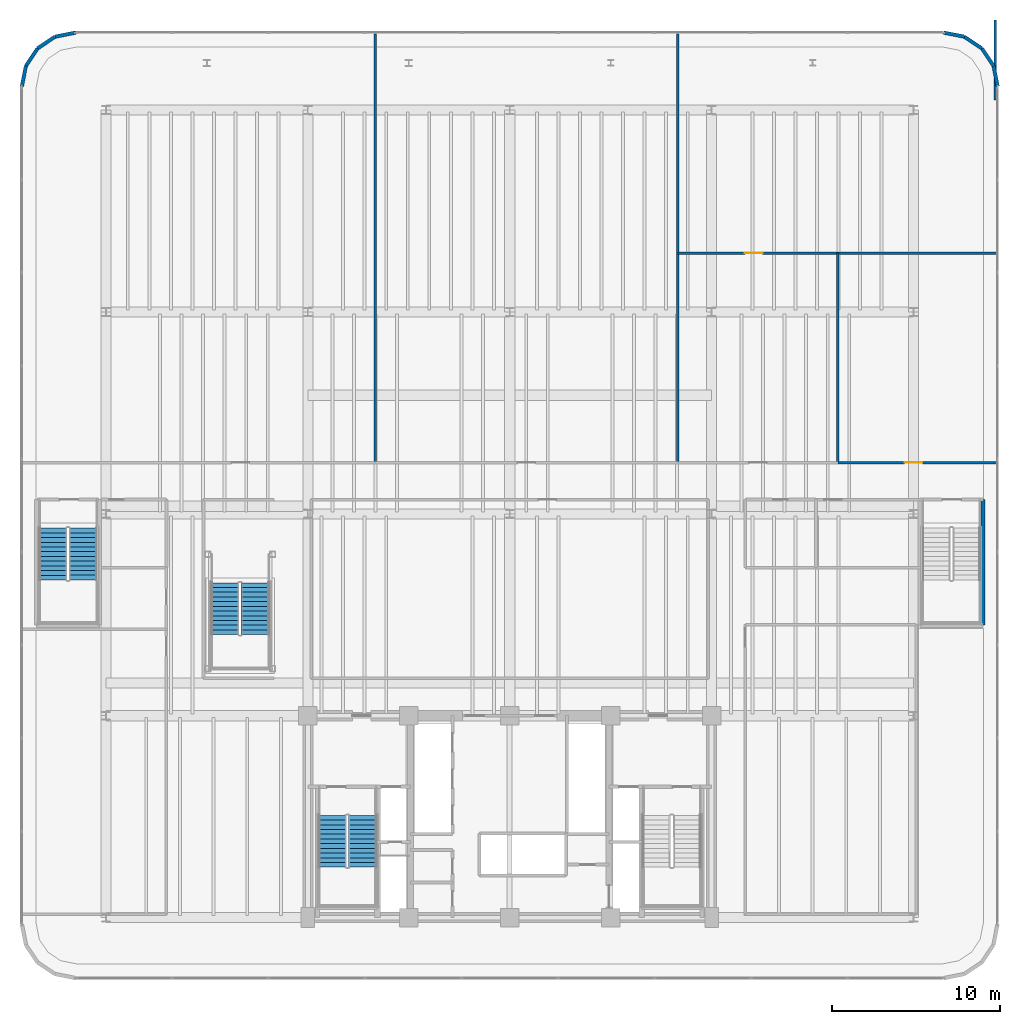
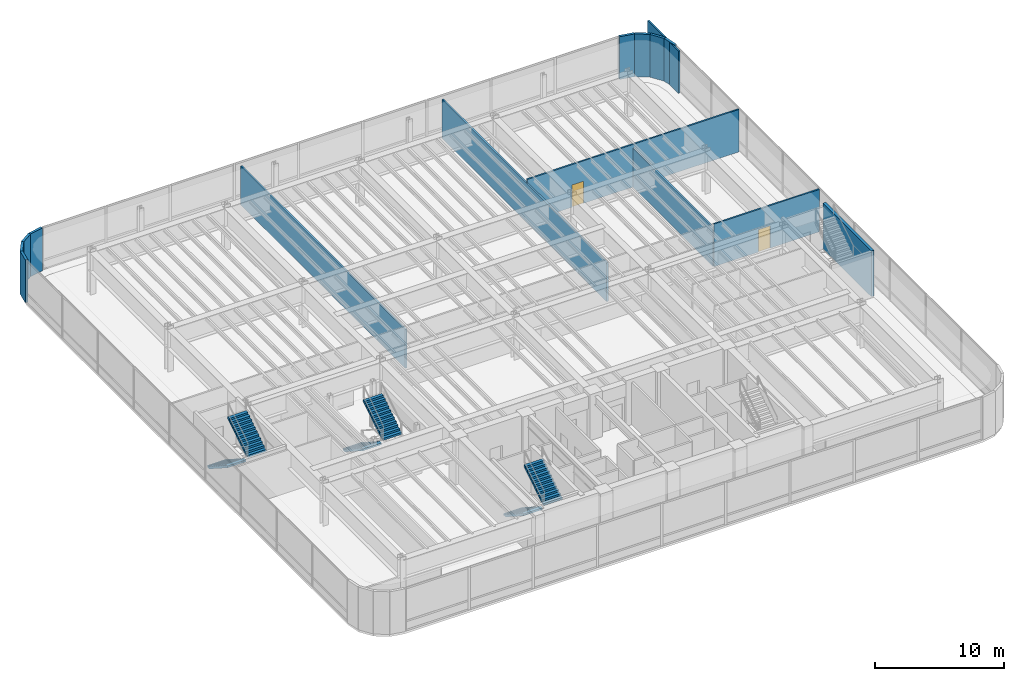
# One storey, part 15 of 19: 15 walls, 6 stair flights, 2 doors, 2 openings, 3 elements without a shape of their own.
"""IFC4 building model written with IfcOpenShell, lengths in metres."""

from ifc_helpers import new_model, si_unit, direction, frame, frame_2d, origin, origin_2d, place, context, subcontext, project, spatial, polyline, rectangle, outline, extrude, source, transform, mapped, material, layer, layer_set, type_object, element, fill, aggregate, save


model = new_model("IFC4")

# Units and contexts
model_context = context("Model", 3, precision=1e-05, world=origin(), true_north=direction((0.0, 1.0)))
body_context = subcontext(model_context, "Body", "Model", "MODEL_VIEW")
ifc_project = project(units=[si_unit("LENGTHUNIT", "METRE"), si_unit("AREAUNIT", "SQUARE_METRE"), si_unit("VOLUMEUNIT", "CUBIC_METRE"), si_unit("PLANEANGLEUNIT", "RADIAN"), si_unit("MASSUNIT", "GRAM", prefix="KILO")], contexts=[model_context])

# Site, building, storey
site_placement = place(None, origin())
site = spatial("IfcSite", under=ifc_project, at=site_placement, CompositionType="ELEMENT")
building_placement = place(site_placement, origin())
building = spatial("IfcBuilding", under=site, at=building_placement, Name="Brelvock Crest Care Tower", CompositionType="ELEMENT")
storey_placement = place(building_placement, frame((0.0, 0.0, 18.360107421875)))
storey = spatial("IfcBuildingStorey", under=building, at=storey_placement, Name="L04", CompositionType="ELEMENT", Elevation=18.360107421875)

# Walls
ifc_material_1 = material(Name="Concrete S80 (80 MPa)", Category="concrete")
ifc_layer_1 = layer(ifc_material_1, 0.25, Name="WL-CS6")
ifc_layer_set_1 = layer_set([ifc_layer_1], Name="Concrete S80 (80 MPa)")
wall_type_1 = type_object("IfcWallType", Name="WL-CS6", PredefinedType="SHEAR", material=ifc_layer_set_1)
wall_1_placement = place(storey_placement, frame((64.1201171875, 23.3798828125, 0.0), z_axis=(0.0, 0.0, 1.0), x_axis=(0.0, 1.0, 0.0)))
element("IfcWall", 1, at=wall_1_placement, inside=storey, type_object=wall_type_1, Name="L04 Podium Stair ST-4 East Shear Wall", PredefinedType="SHEAR", context=body_context, shape_type="SweptSolid", body=[
    extrude(rectangle(XDim=7.47021484375, YDim=0.25, at=frame_2d((3.735107421875, 0.0))), origin(), (0.0, 0.0, 1.0), 4.31982421875),
])
ifc_material_2 = material(Name="Precast concrete N40 (40 MPa)", Category="concrete")
ifc_layer_2 = layer(ifc_material_2, 0.215087890625, Name="WL-EX2")
ifc_layer_set_2 = layer_set([ifc_layer_2], Name="Precast concrete N40 (40 MPa)")
wall_type_2 = type_object("IfcWallType", Name="WL-EX2", PredefinedType="SOLIDWALL", material=ifc_layer_set_2)
for number, where, z_axis, x_axis, name in (
    (2, (7.0, 55.39990234375, 0.0), (0.0, 0.0, 1.0), (0.195138390419, 0.980775717779, 0.0), "L04 Rounded Corner Wall 05"),
    (3, (7.24365234375, 56.62451171875, 0.0), (0.0, 0.0, 1.0), (0.555557312883, 0.831478245117, 0.0), "L04 Rounded Corner Wall 06"),
    (4, (7.937255859375, 57.66259765625, 0.0), (0.0, 0.0, 1.0), (0.831387912822, 0.555692485475, 0.0), "L04 Rounded Corner Wall 07"),
    (5, (8.975341796875, 58.3564453125, 0.0), (0.0, 0.0, 1.0), (0.980775717779, 0.195138390419, 0.0), "L04 Rounded Corner Wall 08"),
    (6, (61.800048828125, 58.60009765625, 0.0), (0.0, 0.0, 1.0), (0.980775717779, -0.195138390419, 0.0), "L04 Rounded Corner Wall 10"),
    (7, (63.024658203125, 58.3564453125, 0.0), (0.0, 0.0, 1.0), (0.831387912822, -0.555692485475, 0.0), "L04 Rounded Corner Wall 11"),
    (8, (64.062744140625, 57.66259765625, 0.0), (0.0, 0.0, 1.0), (0.555557312883, -0.831478245117, 0.0), "L04 Rounded Corner Wall 12"),
    (9, (64.75634765625, 56.62451171875, 0.0), (0.0, 0.0, 1.0), (0.195138390419, -0.980775717779, 0.0), "L04 Rounded Corner Wall 13"),
):
    element("IfcWall", number, at=place(storey_placement, frame(where, z_axis=z_axis, x_axis=x_axis)), inside=storey, type_object=wall_type_2, Name=name, PredefinedType="SOLIDWALL", context=body_context, shape_type="SweptSolid", body=[
        extrude(rectangle(XDim=1.24853515625, YDim=0.215087890625, at=frame_2d((0.624267578125, 0.0))), origin(), (0.0, 0.0, 1.0), 4.039794921875),
    ])

# Wall, opening, door
ifc_material_3 = material(Name="Masonry Blockwork Acoustic Partition", Category="masonry")
ifc_layer_3 = layer(ifc_material_3, 0.14990234375, Name="WL-INT1")
ifc_layer_set_3 = layer_set([ifc_layer_3], Name="Masonry Blockwork Acoustic Partition")
wall_type_3 = type_object("IfcWallType", Name="WL-INT1", PredefinedType="PARTITIONING", material=ifc_layer_set_3)
wall_2_placement = place(storey_placement, frame((55.5, 33.050048828125, 0.0), z_axis=(0.0, 0.0, 1.0), x_axis=(1.0, 0.0, 0.0)))
wall_2 = element("IfcWall", 10, at=wall_2_placement, inside=storey, type_object=wall_type_3, Name="L04 Interior Wall WL-RM-L04-OCC2", PredefinedType="PARTITIONING", context=body_context, shape_type="SweptSolid", body=[
    extrude(rectangle(XDim=9.419921875, YDim=0.14990234375, at=frame_2d((4.7099609375, 0.0))), origin(), (0.0, 0.0, 1.0), 4.010009765625),
])
opening_1_placement = place(wall_2_placement, frame((3.97509765625, 0.0, 0.0)))
opening_1 = element("IfcOpeningElement", 11, at=opening_1_placement, cuts=wall_2, Name="Opening CLD-1", PredefinedType="OPENING", context=body_context, shape_type="SweptSolid", body=[
    extrude(rectangle(XDim=1.050048828125, YDim=2.10009765625, at=origin_2d()), frame((0.52490234375, 0.0849609375, 1.050048828125), z_axis=(0.0, -1.0, 0.0), x_axis=(1.0, 0.0, 0.0)), (0.0, 0.0, 1.0), 0.169921875),
])
ifc_material_4 = material(Name="Engineered Hardwood Timber", Category="wood")
door_type = type_object("IfcDoorType", Name="DR-CLN1", OperationType="NOTDEFINED", PredefinedType="DOOR", material=ifc_material_4)
shared_shape = source(origin(), body_context, "Body", "SweptSolid", [
    extrude(rectangle(XDim=1.050048828125, YDim=2.10009765625, at=origin_2d()), frame((0.52490234375, 0.02490234375, 1.050048828125), z_axis=(0.0, -1.0, 0.0), x_axis=(1.0, 0.0, 0.0)), (0.0, 0.0, 1.0), 0.050048828125),
])
door_1_placement = place(opening_1_placement, origin())
door_1 = element("IfcDoor", 12, at=door_1_placement, inside=storey, type_object=door_type, Name="L04 Assistive Technology Clinic Door OCC2", OperationType="SINGLE_SWING_LEFT", OverallHeight=2.10009765625, OverallWidth=1.050048828125, PredefinedType="DOOR", context=body_context, shape_type="MappedRepresentation", body=[
    mapped(shared_shape, transform((0.0, 0.0, 0.0), x_axis=(1.0, 0.0, 0.0), y_axis=(0.0, 1.0, 0.0), z_axis=(0.0, 0.0, 1.0), scale=1.0)),
])
fill(opening_1, door_1)

wall_3_placement = place(storey_placement, frame((46.0, 45.5, 0.0), z_axis=(0.0, 0.0, 1.0), x_axis=(1.0, 0.0, 0.0)))
wall_3 = element("IfcWall", 13, at=wall_3_placement, inside=storey, type_object=wall_type_3, Name="L04 Interior Wall WL-RM-L04-OCC3", PredefinedType="PARTITIONING", context=body_context, shape_type="SweptSolid", body=[
    extrude(rectangle(XDim=18.919921875, YDim=0.14990234375, at=frame_2d((9.4599609375, 0.0))), origin(), (0.0, 0.0, 1.0), 4.010009765625),
])
opening_2_placement = place(wall_3_placement, frame((3.97509765625, 0.0, 0.0)))
opening_2 = element("IfcOpeningElement", 14, at=opening_2_placement, cuts=wall_3, Name="Opening CLD-1", PredefinedType="OPENING", context=body_context, shape_type="SweptSolid", body=[
    extrude(rectangle(XDim=1.050048828125, YDim=2.10009765625, at=origin_2d()), frame((0.52490234375, 0.0849609375, 1.050048828125), z_axis=(0.0, -1.0, 0.0), x_axis=(1.0, 0.0, 0.0)), (0.0, 0.0, 1.0), 0.169921875),
])
door_2_placement = place(opening_2_placement, origin())
door_2 = element("IfcDoor", 15, at=door_2_placement, inside=storey, type_object=door_type, Name="L04 North Sensory Garden Salon Door OCC3", OperationType="SINGLE_SWING_LEFT", OverallHeight=2.10009765625, OverallWidth=1.050048828125, PredefinedType="DOOR", context=body_context, shape_type="MappedRepresentation", body=[
    mapped(shared_shape, transform((0.0, 0.0, 0.0), x_axis=(1.0, 0.0, 0.0), y_axis=(0.0, 1.0, 0.0), z_axis=(0.0, 0.0, 1.0), scale=1.0)),
])
fill(opening_2, door_2)

# Walls
for number, where, z_axis, x_axis, name in (
    (16, (28.0, 33.050048828125, 0.0), (0.0, 0.0, 1.0), (0.0, 1.0, 0.0), "L04 Interior Wall WL-BX-L04-GYM-W"),
    (17, (46.0, 33.050048828125, 0.0), (0.0, 0.0, 1.0), (0.0, 1.0, 0.0), "L04 Interior Wall WL-BX-L04-GYM-E"),
):
    element("IfcWall", number, at=place(storey_placement, frame(where, z_axis=z_axis, x_axis=x_axis)), inside=storey, type_object=wall_type_3, Name=name, PredefinedType="PARTITIONING", context=body_context, shape_type="SweptSolid", body=[
        extrude(rectangle(XDim=25.469970703125, YDim=0.14990234375, at=frame_2d((12.73486328125, 0.0))), origin(), (0.0, 0.0, 1.0), 3.665771484375),
    ])
wall_4_placement = place(storey_placement, frame((55.5, 33.050048828125, 0.0), z_axis=(0.0, 0.0, 1.0), x_axis=(0.0, 1.0, 0.0)))
element("IfcWall", 18, at=wall_4_placement, inside=storey, type_object=wall_type_3, Name="L04 Interior Wall WL-BX-L04-OCC1-E", PredefinedType="PARTITIONING", context=body_context, shape_type="SweptSolid", body=[
    extrude(rectangle(XDim=12.449951171875, YDim=0.14990234375, at=frame_2d((6.22509765625, 0.0))), origin(), (0.0, 0.0, 1.0), 3.665771484375),
])
wall_5_placement = place(storey_placement, frame((64.85009765625, 54.596435546875, 0.0), z_axis=(0.0, 0.0, 1.0), x_axis=(0.0, 1.0, 0.0)))
element("IfcWall", 19, at=wall_5_placement, inside=storey, type_object=wall_type_3, Name="L04 Interior Wall WL-BX-L04-OCC3-E", PredefinedType="PARTITIONING", context=body_context, shape_type="SweptSolid", body=[
    extrude(rectangle(XDim=4.753662109375, YDim=0.14990234375, at=frame_2d((2.376953125, 0.0))), origin(), (0.0, 0.0, 1.0), 4.010009765625),
])

# Stair, stair flights
ifc_material_5 = material(Name="Concrete N40 (40 MPa)", Category="concrete")
stair_type_1 = type_object("IfcStairType", Name="ST-CORE1", PredefinedType="HALF_TURN_STAIR", material=ifc_material_5)
stair_1_placement = place(storey_placement, origin())
stair_1 = element("IfcStair", 20, at=stair_1_placement, inside=storey, type_object=stair_type_1, Name="L04 Fire-Isolated Core Stair ST-1", PredefinedType="HALF_TURN_STAIR")
stair_flight_type_1 = type_object("IfcStairFlightType", Name="STF-1", PredefinedType="STRAIGHT", material=ifc_material_5)
stair_flight_1_placement = place(storey_placement, frame((25.469970703125, 12.080078125, 0.0), z_axis=(0.0, 0.0, 1.0), x_axis=(0.0, -1.0, 0.0)))
stair_flight_1 = element("IfcStairFlight", 21, at=stair_flight_1_placement, type_object=stair_flight_type_1, Name="ST-1 flight 1", NumberOfRisers=12, NumberOfTreads=11, PredefinedType="STRAIGHT", RiserHeight=0.18, TreadLength=0.28, context=body_context, shape_type="SweptSolid", body=[
    extrude(outline(polyline([(-0.00390625, -0.014892578125), (-0.00390625, -0.008056640625), (-0.00390625, -0.0009765625), (-0.00390625, 0.005859375), (-0.00390625, 0.012939453125), (-0.00390625, 0.019775390625), (-0.00390625, 0.02685546875), (-0.00390625, 0.03369140625), (-0.00390625, 0.040771484375), (-0.00390625, 0.047607421875), (-0.00390625, 0.0546875), (-0.00390625, 0.0615234375), (-0.00390625, 0.068603515625), (-0.00390625, 0.075439453125), (-0.00390625, 0.08251953125), (-0.00390625, 0.08935546875), (-0.00390625, 0.096435546875), (-0.00390625, 0.103271484375), (-0.00390625, 0.1103515625), (-0.00390625, 0.117431640625), (-0.00390625, 0.124267578125), (-0.00390625, 0.13134765625), (-0.00390625, 0.13818359375), (-0.00390625, 0.145263671875), (-0.00390625, 0.152099609375), (-0.00390625, 0.1591796875), (-0.00390625, 0.166015625), (-0.00390625, 0.173095703125), (-0.00390625, 0.179931640625), (0.0, 0.179931640625), (0.280029296875, 0.179931640625), (0.280029296875, 0.360107421875), (0.56005859375, 0.360107421875), (0.56005859375, 0.5400390625), (0.840087890625, 0.5400390625), (0.840087890625, 0.719970703125), (1.1201171875, 0.719970703125), (1.1201171875, 0.89990234375), (1.39990234375, 0.89990234375), (1.39990234375, 1.080078125), (1.679931640625, 1.080078125), (1.679931640625, 1.260009765625), (1.9599609375, 1.260009765625), (1.9599609375, 1.43994140625), (2.239990234375, 1.43994140625), (2.239990234375, 1.6201171875), (2.52001953125, 1.6201171875), (2.52001953125, 1.800048828125), (2.800048828125, 1.800048828125), (2.800048828125, 1.97998046875), (3.080078125, 1.97998046875), (3.083984375, 1.97998046875), (3.083740234375, 1.979248046875), (3.083984375, 1.978759765625), (3.083740234375, 1.97802734375), (3.083984375, 1.9775390625), (3.083740234375, 1.976806640625), (3.083984375, 1.97607421875), (3.083740234375, 1.9755859375), (3.083984375, 1.974853515625), (3.083740234375, 1.97412109375), (3.083984375, 1.9736328125), (3.083740234375, 1.972900390625), (3.083984375, 1.97216796875), (3.083740234375, 1.9716796875), (3.083984375, 1.970947265625), (3.083740234375, 1.970458984375), (3.083984375, 1.9697265625), (3.083740234375, 1.968994140625), (3.083984375, 1.968505859375), (3.083740234375, 1.9677734375), (3.083984375, 1.967041015625), (3.083740234375, 1.966552734375), (3.083984375, 1.9658203125), (3.083740234375, 1.96533203125), (3.083984375, 1.964599609375), (3.083740234375, 1.9638671875), (3.083984375, 1.96337890625), (3.083740234375, 1.962646484375), (3.083984375, 1.9619140625), (3.080078125, 1.8017578125), (0.277099609375, 0.0), (0.0, 0.0), (0.0, -0.014892578125), (-0.00390625, -0.014892578125)])), frame((0.0, 0.83984375, 0.0), z_axis=(0.0, -1.0, 0.0), x_axis=(1.0, 0.0, 0.0)), (0.0, 0.0, 1.0), 1.679931640625),
])
stair_flight_2_placement = place(storey_placement, frame((27.27001953125, 9.0, 2.159912109375), z_axis=(0.0, 0.0, 1.0), x_axis=(0.0, 1.0, 0.0)))
stair_flight_2 = element("IfcStairFlight", 22, at=stair_flight_2_placement, type_object=stair_flight_type_1, Name="ST-1 flight 2", NumberOfRisers=12, NumberOfTreads=11, PredefinedType="STRAIGHT", RiserHeight=0.18, TreadLength=0.28, context=body_context, shape_type="SweptSolid", body=[
    extrude(outline(polyline([(-0.00390625, -0.014892578125), (-0.00390625, -0.008056640625), (-0.00390625, -0.0009765625), (-0.00390625, 0.005859375), (-0.00390625, 0.012939453125), (-0.00390625, 0.019775390625), (-0.00390625, 0.02685546875), (-0.00390625, 0.03369140625), (-0.00390625, 0.040771484375), (-0.00390625, 0.047607421875), (-0.00390625, 0.0546875), (-0.00390625, 0.0615234375), (-0.00390625, 0.068603515625), (-0.00390625, 0.075439453125), (-0.00390625, 0.08251953125), (-0.00390625, 0.08935546875), (-0.00390625, 0.096435546875), (-0.00390625, 0.103271484375), (-0.00390625, 0.1103515625), (-0.00390625, 0.117431640625), (-0.00390625, 0.124267578125), (-0.00390625, 0.13134765625), (-0.00390625, 0.13818359375), (-0.00390625, 0.145263671875), (-0.00390625, 0.152099609375), (-0.00390625, 0.1591796875), (-0.00390625, 0.166015625), (-0.00390625, 0.173095703125), (-0.00390625, 0.179931640625), (0.0, 0.179931640625), (0.280029296875, 0.179931640625), (0.280029296875, 0.360107421875), (0.56005859375, 0.360107421875), (0.56005859375, 0.5400390625), (0.840087890625, 0.5400390625), (0.840087890625, 0.719970703125), (1.1201171875, 0.719970703125), (1.1201171875, 0.89990234375), (1.39990234375, 0.89990234375), (1.39990234375, 1.080078125), (1.679931640625, 1.080078125), (1.679931640625, 1.260009765625), (1.9599609375, 1.260009765625), (1.9599609375, 1.43994140625), (2.239990234375, 1.43994140625), (2.239990234375, 1.6201171875), (2.52001953125, 1.6201171875), (2.52001953125, 1.800048828125), (2.800048828125, 1.800048828125), (2.800048828125, 1.97998046875), (3.080078125, 1.97998046875), (3.083984375, 1.97998046875), (3.083740234375, 1.979248046875), (3.083984375, 1.978759765625), (3.083740234375, 1.97802734375), (3.083984375, 1.9775390625), (3.083740234375, 1.976806640625), (3.083984375, 1.97607421875), (3.083740234375, 1.9755859375), (3.083984375, 1.974853515625), (3.083740234375, 1.97412109375), (3.083984375, 1.9736328125), (3.083740234375, 1.972900390625), (3.083984375, 1.97216796875), (3.083740234375, 1.9716796875), (3.083984375, 1.970947265625), (3.083740234375, 1.970458984375), (3.083984375, 1.9697265625), (3.083740234375, 1.968994140625), (3.083984375, 1.968505859375), (3.083740234375, 1.9677734375), (3.083984375, 1.967041015625), (3.083740234375, 1.966552734375), (3.083984375, 1.9658203125), (3.083740234375, 1.96533203125), (3.083984375, 1.964599609375), (3.083740234375, 1.9638671875), (3.083984375, 1.96337890625), (3.083740234375, 1.962646484375), (3.083984375, 1.9619140625), (3.080078125, 1.8017578125), (0.277099609375, 0.0), (0.0, 0.0), (0.0, -0.014892578125), (-0.00390625, -0.014892578125)])), frame((0.0, 0.83984375, 0.0), z_axis=(0.0, -1.0, 0.0), x_axis=(1.0, 0.0, 0.0)), (0.0, 0.0, 1.0), 1.679931640625),
])
aggregate(stair_1, [stair_flight_1, stair_flight_2])

stair_type_2 = type_object("IfcStairType", Name="ST-FEA1", PredefinedType="HALF_TURN_STAIR", material=ifc_material_5)
stair_2_placement = place(storey_placement, origin())
stair_2 = element("IfcStair", 23, at=stair_2_placement, inside=storey, type_object=stair_type_2, Name="L04 Clinic Atrium Feature Stair ST-5", PredefinedType="HALF_TURN_STAIR")
stair_flight_3_placement = place(storey_placement, frame((19.080078125, 25.89990234375, 0.0), z_axis=(0.0, 0.0, 1.0), x_axis=(0.0, -1.0, 0.0)))
stair_flight_3 = element("IfcStairFlight", 24, at=stair_flight_3_placement, type_object=stair_flight_type_1, Name="ST-5 flight 1", NumberOfRisers=12, NumberOfTreads=11, PredefinedType="STRAIGHT", RiserHeight=0.18, TreadLength=0.28, context=body_context, shape_type="SweptSolid", body=[
    extrude(outline(polyline([(-0.00390625, -0.014892578125), (-0.00390625, -0.008056640625), (-0.00390625, -0.0009765625), (-0.00390625, 0.005859375), (-0.00390625, 0.012939453125), (-0.00390625, 0.019775390625), (-0.00390625, 0.02685546875), (-0.00390625, 0.03369140625), (-0.00390625, 0.040771484375), (-0.00390625, 0.047607421875), (-0.00390625, 0.0546875), (-0.00390625, 0.0615234375), (-0.00390625, 0.068603515625), (-0.00390625, 0.075439453125), (-0.00390625, 0.08251953125), (-0.00390625, 0.08935546875), (-0.00390625, 0.096435546875), (-0.00390625, 0.103271484375), (-0.00390625, 0.1103515625), (-0.00390625, 0.117431640625), (-0.00390625, 0.124267578125), (-0.00390625, 0.13134765625), (-0.00390625, 0.13818359375), (-0.00390625, 0.145263671875), (-0.00390625, 0.152099609375), (-0.00390625, 0.1591796875), (-0.00390625, 0.166015625), (-0.00390625, 0.173095703125), (-0.00390625, 0.179931640625), (0.0, 0.179931640625), (0.280029296875, 0.179931640625), (0.280029296875, 0.360107421875), (0.56005859375, 0.360107421875), (0.56005859375, 0.5400390625), (0.840087890625, 0.5400390625), (0.840087890625, 0.719970703125), (1.1201171875, 0.719970703125), (1.1201171875, 0.89990234375), (1.39990234375, 0.89990234375), (1.39990234375, 1.080078125), (1.679931640625, 1.080078125), (1.679931640625, 1.260009765625), (1.9599609375, 1.260009765625), (1.9599609375, 1.43994140625), (2.239990234375, 1.43994140625), (2.239990234375, 1.6201171875), (2.52001953125, 1.6201171875), (2.52001953125, 1.800048828125), (2.800048828125, 1.800048828125), (2.800048828125, 1.97998046875), (3.080078125, 1.97998046875), (3.083984375, 1.97998046875), (3.083740234375, 1.979248046875), (3.083984375, 1.978759765625), (3.083740234375, 1.97802734375), (3.083984375, 1.9775390625), (3.083740234375, 1.976806640625), (3.083984375, 1.97607421875), (3.083740234375, 1.9755859375), (3.083984375, 1.974853515625), (3.083740234375, 1.97412109375), (3.083984375, 1.9736328125), (3.083740234375, 1.972900390625), (3.083984375, 1.97216796875), (3.083740234375, 1.9716796875), (3.083984375, 1.970947265625), (3.083740234375, 1.970458984375), (3.083984375, 1.9697265625), (3.083740234375, 1.968994140625), (3.083984375, 1.968505859375), (3.083740234375, 1.9677734375), (3.083984375, 1.967041015625), (3.083740234375, 1.966552734375), (3.083984375, 1.9658203125), (3.083740234375, 1.96533203125), (3.083984375, 1.964599609375), (3.083740234375, 1.9638671875), (3.083984375, 1.96337890625), (3.083740234375, 1.962646484375), (3.083984375, 1.9619140625), (3.080078125, 1.8017578125), (0.277099609375, 0.0), (0.0, 0.0), (0.0, -0.014892578125), (-0.00390625, -0.014892578125)])), frame((0.0, 0.83984375, 0.0), z_axis=(0.0, -1.0, 0.0), x_axis=(1.0, 0.0, 0.0)), (0.0, 0.0, 1.0), 1.679931640625),
])
stair_flight_4_placement = place(storey_placement, frame((20.8798828125, 22.820068359375, 2.159912109375), z_axis=(0.0, 0.0, 1.0), x_axis=(0.0, 1.0, 0.0)))
stair_flight_4 = element("IfcStairFlight", 25, at=stair_flight_4_placement, type_object=stair_flight_type_1, Name="ST-5 flight 2", NumberOfRisers=12, NumberOfTreads=11, PredefinedType="STRAIGHT", RiserHeight=0.18, TreadLength=0.28, context=body_context, shape_type="SweptSolid", body=[
    extrude(outline(polyline([(-0.00390625, -0.014892578125), (-0.00390625, -0.008056640625), (-0.00390625, -0.0009765625), (-0.00390625, 0.005859375), (-0.00390625, 0.012939453125), (-0.00390625, 0.019775390625), (-0.00390625, 0.02685546875), (-0.00390625, 0.03369140625), (-0.00390625, 0.040771484375), (-0.00390625, 0.047607421875), (-0.00390625, 0.0546875), (-0.00390625, 0.0615234375), (-0.00390625, 0.068603515625), (-0.00390625, 0.075439453125), (-0.00390625, 0.08251953125), (-0.00390625, 0.08935546875), (-0.00390625, 0.096435546875), (-0.00390625, 0.103271484375), (-0.00390625, 0.1103515625), (-0.00390625, 0.117431640625), (-0.00390625, 0.124267578125), (-0.00390625, 0.13134765625), (-0.00390625, 0.13818359375), (-0.00390625, 0.145263671875), (-0.00390625, 0.152099609375), (-0.00390625, 0.1591796875), (-0.00390625, 0.166015625), (-0.00390625, 0.173095703125), (-0.00390625, 0.179931640625), (0.0, 0.179931640625), (0.280029296875, 0.179931640625), (0.280029296875, 0.360107421875), (0.56005859375, 0.360107421875), (0.56005859375, 0.5400390625), (0.840087890625, 0.5400390625), (0.840087890625, 0.719970703125), (1.1201171875, 0.719970703125), (1.1201171875, 0.89990234375), (1.39990234375, 0.89990234375), (1.39990234375, 1.080078125), (1.679931640625, 1.080078125), (1.679931640625, 1.260009765625), (1.9599609375, 1.260009765625), (1.9599609375, 1.43994140625), (2.239990234375, 1.43994140625), (2.239990234375, 1.6201171875), (2.52001953125, 1.6201171875), (2.52001953125, 1.800048828125), (2.800048828125, 1.800048828125), (2.800048828125, 1.97998046875), (3.080078125, 1.97998046875), (3.083984375, 1.97998046875), (3.083740234375, 1.979248046875), (3.083984375, 1.978759765625), (3.083740234375, 1.97802734375), (3.083984375, 1.9775390625), (3.083740234375, 1.976806640625), (3.083984375, 1.97607421875), (3.083740234375, 1.9755859375), (3.083984375, 1.974853515625), (3.083740234375, 1.97412109375), (3.083984375, 1.9736328125), (3.083740234375, 1.972900390625), (3.083984375, 1.97216796875), (3.083740234375, 1.9716796875), (3.083984375, 1.970947265625), (3.083740234375, 1.970458984375), (3.083984375, 1.9697265625), (3.083740234375, 1.968994140625), (3.083984375, 1.968505859375), (3.083740234375, 1.9677734375), (3.083984375, 1.967041015625), (3.083740234375, 1.966552734375), (3.083984375, 1.9658203125), (3.083740234375, 1.96533203125), (3.083984375, 1.964599609375), (3.083740234375, 1.9638671875), (3.083984375, 1.96337890625), (3.083740234375, 1.962646484375), (3.083984375, 1.9619140625), (3.080078125, 1.8017578125), (0.277099609375, 0.0), (0.0, 0.0), (0.0, -0.014892578125), (-0.00390625, -0.014892578125)])), frame((0.0, 0.83984375, 0.0), z_axis=(0.0, -1.0, 0.0), x_axis=(1.0, 0.0, 0.0)), (0.0, 0.0, 1.0), 1.679931640625),
])
aggregate(stair_2, [stair_flight_3, stair_flight_4])

stair_type_3 = type_object("IfcStairType", Name="ST-POD1", PredefinedType="HALF_TURN_STAIR", material=ifc_material_5)
stair_3_placement = place(storey_placement, origin())
stair_3 = element("IfcStair", 26, at=stair_3_placement, inside=storey, type_object=stair_type_3, Name="L04 Podium West Fire Stair ST-3", PredefinedType="HALF_TURN_STAIR")
stair_flight_type_2 = type_object("IfcStairFlightType", Name="STF-2", PredefinedType="STRAIGHT", material=ifc_material_5)
stair_flight_5_placement = place(storey_placement, frame((8.85009765625, 29.14990234375, 0.0), z_axis=(0.0, 0.0, 1.0), x_axis=(0.0, -1.0, 0.0)))
stair_flight_5 = element("IfcStairFlight", 27, at=stair_flight_5_placement, type_object=stair_flight_type_2, Name="ST-3 flight 1", NumberOfRisers=12, NumberOfTreads=11, PredefinedType="STRAIGHT", RiserHeight=0.18, TreadLength=0.28, context=body_context, shape_type="SweptSolid", body=[
    extrude(outline(polyline([(-0.00390625, -0.014892578125), (-0.00390625, -0.008056640625), (-0.00390625, -0.0009765625), (-0.00390625, 0.005859375), (-0.00390625, 0.012939453125), (-0.00390625, 0.019775390625), (-0.00390625, 0.02685546875), (-0.00390625, 0.03369140625), (-0.00390625, 0.040771484375), (-0.00390625, 0.047607421875), (-0.00390625, 0.0546875), (-0.00390625, 0.0615234375), (-0.00390625, 0.068603515625), (-0.00390625, 0.075439453125), (-0.00390625, 0.08251953125), (-0.00390625, 0.08935546875), (-0.00390625, 0.096435546875), (-0.00390625, 0.103271484375), (-0.00390625, 0.1103515625), (-0.00390625, 0.117431640625), (-0.00390625, 0.124267578125), (-0.00390625, 0.13134765625), (-0.00390625, 0.13818359375), (-0.00390625, 0.145263671875), (-0.00390625, 0.152099609375), (-0.00390625, 0.1591796875), (-0.00390625, 0.166015625), (-0.00390625, 0.173095703125), (-0.00390625, 0.179931640625), (0.0, 0.179931640625), (0.280029296875, 0.179931640625), (0.280029296875, 0.360107421875), (0.56005859375, 0.360107421875), (0.56005859375, 0.5400390625), (0.840087890625, 0.5400390625), (0.840087890625, 0.719970703125), (1.1201171875, 0.719970703125), (1.1201171875, 0.89990234375), (1.39990234375, 0.89990234375), (1.39990234375, 1.080078125), (1.679931640625, 1.080078125), (1.679931640625, 1.260009765625), (1.9599609375, 1.260009765625), (1.9599609375, 1.43994140625), (2.239990234375, 1.43994140625), (2.239990234375, 1.6201171875), (2.52001953125, 1.6201171875), (2.52001953125, 1.800048828125), (2.800048828125, 1.800048828125), (2.800048828125, 1.97998046875), (3.080078125, 1.97998046875), (3.083984375, 1.97998046875), (3.083740234375, 1.979248046875), (3.083984375, 1.978759765625), (3.083740234375, 1.97802734375), (3.083984375, 1.9775390625), (3.083740234375, 1.976806640625), (3.083984375, 1.97607421875), (3.083740234375, 1.9755859375), (3.083984375, 1.974853515625), (3.083740234375, 1.97412109375), (3.083984375, 1.9736328125), (3.083740234375, 1.972900390625), (3.083984375, 1.97216796875), (3.083740234375, 1.9716796875), (3.083984375, 1.970947265625), (3.083740234375, 1.970458984375), (3.083984375, 1.9697265625), (3.083740234375, 1.968994140625), (3.083984375, 1.968505859375), (3.083740234375, 1.9677734375), (3.083984375, 1.967041015625), (3.083740234375, 1.966552734375), (3.083984375, 1.9658203125), (3.083740234375, 1.96533203125), (3.083984375, 1.964599609375), (3.083740234375, 1.9638671875), (3.083984375, 1.96337890625), (3.083740234375, 1.962646484375), (3.083984375, 1.9619140625), (3.080078125, 1.8017578125), (0.277099609375, 0.0), (0.0, 0.0), (0.0, -0.014892578125), (-0.00390625, -0.014892578125)])), frame((0.0, 0.83984375, 0.0), z_axis=(0.0, -1.0, 0.0), x_axis=(1.0, 0.0, 0.0)), (0.0, 0.0, 1.0), 1.679931640625),
])
stair_flight_6_placement = place(storey_placement, frame((10.64990234375, 26.070068359375, 2.159912109375), z_axis=(0.0, 0.0, 1.0), x_axis=(0.0, 1.0, 0.0)))
stair_flight_6 = element("IfcStairFlight", 28, at=stair_flight_6_placement, type_object=stair_flight_type_2, Name="ST-3 flight 2", NumberOfRisers=12, NumberOfTreads=11, PredefinedType="STRAIGHT", RiserHeight=0.18, TreadLength=0.28, context=body_context, shape_type="SweptSolid", body=[
    extrude(outline(polyline([(-0.00390625, -0.014892578125), (-0.00390625, -0.008056640625), (-0.00390625, -0.0009765625), (-0.00390625, 0.005859375), (-0.00390625, 0.012939453125), (-0.00390625, 0.019775390625), (-0.00390625, 0.02685546875), (-0.00390625, 0.03369140625), (-0.00390625, 0.040771484375), (-0.00390625, 0.047607421875), (-0.00390625, 0.0546875), (-0.00390625, 0.0615234375), (-0.00390625, 0.068603515625), (-0.00390625, 0.075439453125), (-0.00390625, 0.08251953125), (-0.00390625, 0.08935546875), (-0.00390625, 0.096435546875), (-0.00390625, 0.103271484375), (-0.00390625, 0.1103515625), (-0.00390625, 0.117431640625), (-0.00390625, 0.124267578125), (-0.00390625, 0.13134765625), (-0.00390625, 0.13818359375), (-0.00390625, 0.145263671875), (-0.00390625, 0.152099609375), (-0.00390625, 0.1591796875), (-0.00390625, 0.166015625), (-0.00390625, 0.173095703125), (-0.00390625, 0.179931640625), (0.0, 0.179931640625), (0.280029296875, 0.179931640625), (0.280029296875, 0.360107421875), (0.56005859375, 0.360107421875), (0.56005859375, 0.5400390625), (0.840087890625, 0.5400390625), (0.840087890625, 0.719970703125), (1.1201171875, 0.719970703125), (1.1201171875, 0.89990234375), (1.39990234375, 0.89990234375), (1.39990234375, 1.080078125), (1.679931640625, 1.080078125), (1.679931640625, 1.260009765625), (1.9599609375, 1.260009765625), (1.9599609375, 1.43994140625), (2.239990234375, 1.43994140625), (2.239990234375, 1.6201171875), (2.52001953125, 1.6201171875), (2.52001953125, 1.800048828125), (2.800048828125, 1.800048828125), (2.800048828125, 1.97998046875), (3.080078125, 1.97998046875), (3.083984375, 1.97998046875), (3.083740234375, 1.979248046875), (3.083984375, 1.978759765625), (3.083740234375, 1.97802734375), (3.083984375, 1.9775390625), (3.083740234375, 1.976806640625), (3.083984375, 1.97607421875), (3.083740234375, 1.9755859375), (3.083984375, 1.974853515625), (3.083740234375, 1.97412109375), (3.083984375, 1.9736328125), (3.083740234375, 1.972900390625), (3.083984375, 1.97216796875), (3.083740234375, 1.9716796875), (3.083984375, 1.970947265625), (3.083740234375, 1.970458984375), (3.083984375, 1.9697265625), (3.083740234375, 1.968994140625), (3.083984375, 1.968505859375), (3.083740234375, 1.9677734375), (3.083984375, 1.967041015625), (3.083740234375, 1.966552734375), (3.083984375, 1.9658203125), (3.083740234375, 1.96533203125), (3.083984375, 1.964599609375), (3.083740234375, 1.9638671875), (3.083984375, 1.96337890625), (3.083740234375, 1.962646484375), (3.083984375, 1.9619140625), (3.080078125, 1.8017578125), (0.277099609375, 0.0), (0.0, 0.0), (0.0, -0.014892578125), (-0.00390625, -0.014892578125)])), frame((0.0, 0.83984375, 0.0), z_axis=(0.0, -1.0, 0.0), x_axis=(1.0, 0.0, 0.0)), (0.0, 0.0, 1.0), 1.679931640625),
])
aggregate(stair_3, [stair_flight_5, stair_flight_6])

save(model, "model.ifc")
